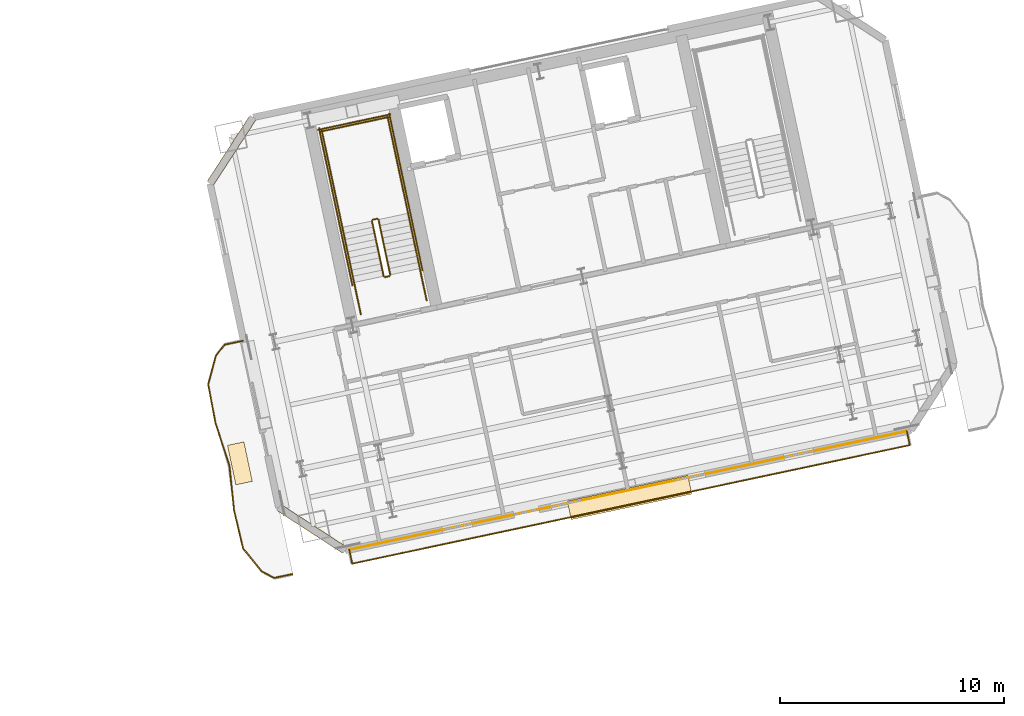
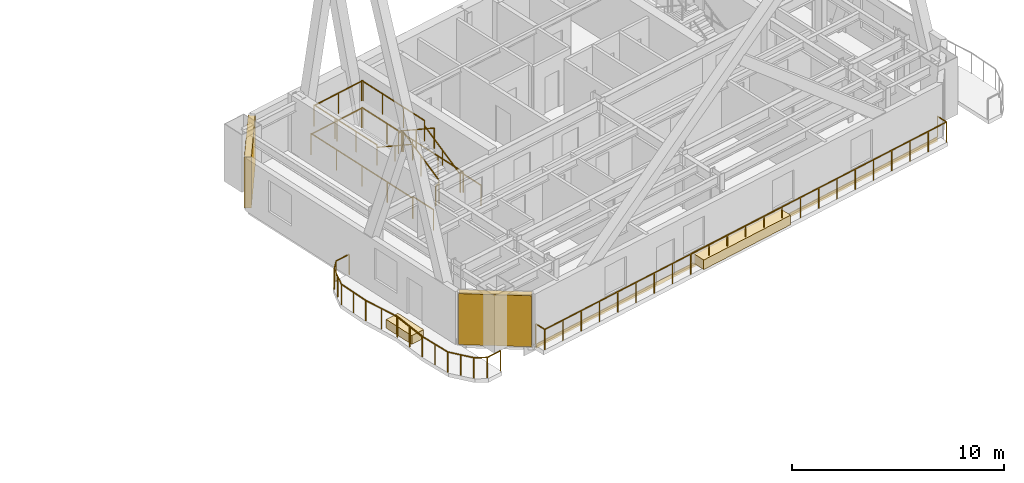
# One storey, part 19 of 20: 27 railings, 3 coverings, 2 shading devices.
"""IFC4 building model written with IfcOpenShell, lengths in metres."""

from ifc_helpers import new_model, si_unit, direction, frame, origin, origin_2d, place, context, subcontext, project, spatial, rectangle, extrude, material, layer, layer_set, type_object, element, save


model = new_model("IFC4")

# Units and contexts
model_context = context("Model", 3, precision=1e-05, world=origin(), true_north=direction((0.0, 1.0)))
body_context = subcontext(model_context, "Body", "Model", "MODEL_VIEW")
ifc_project = project(units=[si_unit("LENGTHUNIT", "METRE"), si_unit("AREAUNIT", "SQUARE_METRE"), si_unit("VOLUMEUNIT", "CUBIC_METRE"), si_unit("PLANEANGLEUNIT", "RADIAN"), si_unit("MASSUNIT", "GRAM", prefix="KILO")], contexts=[model_context])

# Site, building, storey
site_placement = place(None, origin())
site = spatial("IfcSite", under=ifc_project, at=site_placement, CompositionType="ELEMENT")
building_placement = place(site_placement, origin())
building = spatial("IfcBuilding", under=site, at=building_placement, Name="Haevon Station Towers", CompositionType="ELEMENT")
storey_placement = place(building_placement, frame((0.0, 0.0, 175.800048828125)))
storey = spatial("IfcBuildingStorey", under=building, at=storey_placement, Name="L48", CompositionType="ELEMENT", Elevation=175.800048828125)

# Covering
ifc_material_1 = material(Name="Anodised aluminium 6063-T6", Category="aluminium")
ifc_layer_1 = layer(ifc_material_1, 0.0400390625)
ifc_layer_set_1 = layer_set([ifc_layer_1], Name="Anodised aluminium 6063-T6")
covering_type_1 = type_object("IfcCoveringType", Name="COV-CLAD40", PredefinedType="CLADDING", material=ifc_layer_set_1)
covering_1_placement = place(storey_placement, frame((111.05419921875, 30.069091796875, -0.240234375), z_axis=(0.0, 0.0, 1.0), x_axis=(0.978147600734, 0.207911690818, 0.0)))
element("IfcCovering", 1, at=covering_1_placement, inside=storey, type_object=covering_type_1, Name="Tower 2 L48 Spandrel Fascia Cladding", PredefinedType="CLADDING", context=body_context, shape_type="SweptSolid", body=[
    extrude(rectangle(XDim=25.39990234375, YDim=0.0400390625, at=origin_2d()), origin(), (0.0, 0.0, 1.0), 0.239990234375),
])

# Railings
ifc_material_2 = material(Name="Steel S355", Category="steel")
railing_type_1 = type_object("IfcRailingType", Name="GRD-EXT1200", PredefinedType="GUARDRAIL", material=ifc_material_2)
railing_1_placement = place(storey_placement, frame((98.744873046875, 26.80029296875, 0.0)))
element("IfcRailing", 2, at=railing_1_placement, inside=storey, type_object=railing_type_1, Name="L48 Perimeter Guardrail 1", PredefinedType="GUARDRAIL", context=body_context, shape_type="SweptSolid", body=[
    extrude(rectangle(XDim=0.048095703125, YDim=0.048095703125, at=origin_2d()), frame((0.0, 0.0, 1.17578125), z_axis=(0.978147264163, 0.207913274252, 0.0), x_axis=(-0.207913274252, 0.978147264163, 0.0)), (0.0, 0.0, 1.0), 25.43994140625),
    extrude(rectangle(XDim=0.0419921875, YDim=0.0419921875, at=origin_2d()), origin(), (0.0, 0.0, 1.0), 1.15185546875),
    extrude(rectangle(XDim=0.0419921875, YDim=0.0419921875, at=origin_2d()), frame((1.131103515625, 0.240478515625, 0.0)), (0.0, 0.0, 1.0), 1.15185546875),
    extrude(rectangle(XDim=0.0419921875, YDim=0.0419921875, at=origin_2d()), frame((2.26220703125, 0.48095703125, 0.0)), (0.0, 0.0, 1.0), 1.15185546875),
    extrude(rectangle(XDim=0.0419921875, YDim=0.0419921875, at=origin_2d()), frame((3.393310546875, 0.72119140625, 0.0)), (0.0, 0.0, 1.0), 1.15185546875),
    extrude(rectangle(XDim=0.0419921875, YDim=0.0419921875, at=origin_2d()), frame((4.5244140625, 0.961669921875, 0.0)), (0.0, 0.0, 1.0), 1.15185546875),
    extrude(rectangle(XDim=0.0419921875, YDim=0.0419921875, at=origin_2d()), frame((5.655517578125, 1.2021484375, 0.0)), (0.0, 0.0, 1.0), 1.15185546875),
    extrude(rectangle(XDim=0.0419921875, YDim=0.0419921875, at=origin_2d()), frame((6.78662109375, 1.442626953125, 0.0)), (0.0, 0.0, 1.0), 1.15185546875),
    extrude(rectangle(XDim=0.0419921875, YDim=0.0419921875, at=origin_2d()), frame((7.917724609375, 1.682861328125, 0.0)), (0.0, 0.0, 1.0), 1.15185546875),
    extrude(rectangle(XDim=0.0419921875, YDim=0.0419921875, at=origin_2d()), frame((9.048828125, 1.92333984375, 0.0)), (0.0, 0.0, 1.0), 1.15185546875),
    extrude(rectangle(XDim=0.0419921875, YDim=0.0419921875, at=origin_2d()), frame((10.179931640625, 2.163818359375, 0.0)), (0.0, 0.0, 1.0), 1.15185546875),
    extrude(rectangle(XDim=0.0419921875, YDim=0.0419921875, at=origin_2d()), frame((11.31103515625, 2.404296875, 0.0)), (0.0, 0.0, 1.0), 1.15185546875),
    extrude(rectangle(XDim=0.0419921875, YDim=0.0419921875, at=origin_2d()), frame((12.44189453125, 2.64453125, 0.0)), (0.0, 0.0, 1.0), 1.15185546875),
    extrude(rectangle(XDim=0.0419921875, YDim=0.0419921875, at=origin_2d()), frame((13.572998046875, 2.885009765625, 0.0)), (0.0, 0.0, 1.0), 1.15185546875),
    extrude(rectangle(XDim=0.0419921875, YDim=0.0419921875, at=origin_2d()), frame((14.7041015625, 3.12548828125, 0.0)), (0.0, 0.0, 1.0), 1.15185546875),
    extrude(rectangle(XDim=0.0419921875, YDim=0.0419921875, at=origin_2d()), frame((15.835205078125, 3.365966796875, 0.0)), (0.0, 0.0, 1.0), 1.15185546875),
    extrude(rectangle(XDim=0.0419921875, YDim=0.0419921875, at=origin_2d()), frame((16.96630859375, 3.6064453125, 0.0)), (0.0, 0.0, 1.0), 1.15185546875),
    extrude(rectangle(XDim=0.0419921875, YDim=0.0419921875, at=origin_2d()), frame((18.097412109375, 3.8466796875, 0.0)), (0.0, 0.0, 1.0), 1.15185546875),
    extrude(rectangle(XDim=0.0419921875, YDim=0.0419921875, at=origin_2d()), frame((19.228515625, 4.087158203125, 0.0)), (0.0, 0.0, 1.0), 1.15185546875),
    extrude(rectangle(XDim=0.0419921875, YDim=0.0419921875, at=origin_2d()), frame((20.359619140625, 4.32763671875, 0.0)), (0.0, 0.0, 1.0), 1.15185546875),
    extrude(rectangle(XDim=0.0419921875, YDim=0.0419921875, at=origin_2d()), frame((21.49072265625, 4.568115234375, 0.0)), (0.0, 0.0, 1.0), 1.15185546875),
    extrude(rectangle(XDim=0.0419921875, YDim=0.0419921875, at=origin_2d()), frame((22.621826171875, 4.808349609375, 0.0)), (0.0, 0.0, 1.0), 1.15185546875),
    extrude(rectangle(XDim=0.0419921875, YDim=0.0419921875, at=origin_2d()), frame((23.7529296875, 5.048828125, 0.0)), (0.0, 0.0, 1.0), 1.15185546875),
    extrude(rectangle(XDim=0.0419921875, YDim=0.0419921875, at=origin_2d()), frame((24.884033203125, 5.289306640625, 0.0)), (0.0, 0.0, 1.0), 1.15185546875),
])
railing_2_placement = place(storey_placement, frame((123.62890625, 32.089599609375, 0.0)))
element("IfcRailing", 3, at=railing_2_placement, inside=storey, type_object=railing_type_1, Name="L48 Perimeter Guardrail 2", PredefinedType="GUARDRAIL", context=body_context, shape_type="SweptSolid", body=[
    extrude(rectangle(XDim=0.048095703125, YDim=0.048095703125, at=origin_2d()), frame((0.0, 0.0, 1.17578125), z_axis=(-0.20778471153, 0.9781745824, 0.0), x_axis=(-0.9781745824, -0.20778471153, 0.0)), (0.0, 0.0, 1.0), 0.630859375),
    extrude(rectangle(XDim=0.0419921875, YDim=0.0419921875, at=origin_2d()), origin(), (0.0, 0.0, 1.0), 1.15185546875),
    extrude(rectangle(XDim=0.0419921875, YDim=0.0419921875, at=origin_2d()), frame((-0.131103515625, 0.6171875, 0.0)), (0.0, 0.0, 1.0), 1.15185546875),
])
railing_3_placement = place(storey_placement, frame((98.613525390625, 27.41748046875, 0.0)))
element("IfcRailing", 4, at=railing_3_placement, inside=storey, type_object=railing_type_1, Name="L48 Perimeter Guardrail 3", PredefinedType="GUARDRAIL", context=body_context, shape_type="SweptSolid", body=[
    extrude(rectangle(XDim=0.048095703125, YDim=0.048095703125, at=origin_2d()), frame((0.0, 0.0, 1.17578125), z_axis=(0.208154897238, -0.97809587401, 0.0), x_axis=(0.97809587401, 0.208154897238, 0.0)), (0.0, 0.0, 1.0), 0.631103515625),
    extrude(rectangle(XDim=0.0419921875, YDim=0.0419921875, at=origin_2d()), origin(), (0.0, 0.0, 1.0), 1.15185546875),
    extrude(rectangle(XDim=0.0419921875, YDim=0.0419921875, at=origin_2d()), frame((0.13134765625, -0.6171875, 0.0)), (0.0, 0.0, 1.0), 1.15185546875),
])
railing_4_placement = place(storey_placement, frame((93.8662109375, 36.74853515625, 0.0)))
element("IfcRailing", 5, at=railing_4_placement, inside=storey, type_object=railing_type_1, Name="L48 Perimeter Guardrail 1", PredefinedType="GUARDRAIL", context=body_context, shape_type="SweptSolid", body=[
    extrude(rectangle(XDim=0.048095703125, YDim=0.048095703125, at=origin_2d()), frame((0.0, 0.0, 1.17578125), z_axis=(-0.977678572445, -0.210106185017, 0.0), x_axis=(0.210106185017, -0.977678572445, 0.0)), (0.0, 0.0, 1.0), 0.837890625),
    extrude(rectangle(XDim=0.0419921875, YDim=0.0419921875, at=origin_2d()), origin(), (0.0, 0.0, 1.0), 1.15185546875),
    extrude(rectangle(XDim=0.0419921875, YDim=0.0419921875, at=origin_2d()), frame((-0.819091796875, -0.176025390625, 0.0)), (0.0, 0.0, 1.0), 1.15185546875),
])
railing_5_placement = place(storey_placement, frame((93.047119140625, 36.572509765625, 0.0)))
element("IfcRailing", 6, at=railing_5_placement, inside=storey, type_object=railing_type_1, Name="L48 Perimeter Guardrail 2", PredefinedType="GUARDRAIL", context=body_context, shape_type="SweptSolid", body=[
    extrude(rectangle(XDim=0.048095703125, YDim=0.048095703125, at=origin_2d()), frame((0.0, 0.0, 1.17578125), z_axis=(-0.616102641883, -0.787665877555, 0.0), x_axis=(0.787665877555, -0.616102641883, 0.0)), (0.0, 0.0, 1.0), 0.640380859375),
    extrude(rectangle(XDim=0.0419921875, YDim=0.0419921875, at=origin_2d()), origin(), (0.0, 0.0, 1.0), 1.15185546875),
    extrude(rectangle(XDim=0.0419921875, YDim=0.0419921875, at=origin_2d()), frame((-0.39453125, -0.50439453125, 0.0)), (0.0, 0.0, 1.0), 1.15185546875),
])
railing_6_placement = place(storey_placement, frame((92.652587890625, 36.068115234375, 0.0)))
element("IfcRailing", 7, at=railing_6_placement, inside=storey, type_object=railing_type_1, Name="L48 Perimeter Guardrail 3", PredefinedType="GUARDRAIL", context=body_context, shape_type="SweptSolid", body=[
    extrude(rectangle(XDim=0.048095703125, YDim=0.048095703125, at=origin_2d()), frame((0.0, 0.0, 1.17578125), z_axis=(-0.256967200825, -0.966420124842, 0.0), x_axis=(0.966420124842, -0.256967200825, 0.0)), (0.0, 0.0, 1.0), 1.31103515625),
    extrude(rectangle(XDim=0.0419921875, YDim=0.0419921875, at=origin_2d()), origin(), (0.0, 0.0, 1.0), 1.15185546875),
    extrude(rectangle(XDim=0.0419921875, YDim=0.0419921875, at=origin_2d()), frame((-0.16845703125, -0.633544921875, 0.0)), (0.0, 0.0, 1.0), 1.15185546875),
    extrude(rectangle(XDim=0.0419921875, YDim=0.0419921875, at=origin_2d()), frame((-0.3369140625, -1.26708984375, 0.0)), (0.0, 0.0, 1.0), 1.15185546875),
])
railing_7_placement = place(storey_placement, frame((92.315673828125, 34.801025390625, 0.0)))
element("IfcRailing", 8, at=railing_7_placement, inside=storey, type_object=railing_type_1, Name="L48 Perimeter Guardrail 4", PredefinedType="GUARDRAIL", context=body_context, shape_type="SweptSolid", body=[
    extrude(rectangle(XDim=0.048095703125, YDim=0.048095703125, at=origin_2d()), frame((0.0, 0.0, 1.17578125), z_axis=(0.185072185198, -0.982724929096, 0.0), x_axis=(0.982724929096, 0.185072185198, 0.0)), (0.0, 0.0, 1.0), 1.749267578125),
    extrude(rectangle(XDim=0.0419921875, YDim=0.0419921875, at=origin_2d()), origin(), (0.0, 0.0, 1.0), 1.15185546875),
    extrude(rectangle(XDim=0.0419921875, YDim=0.0419921875, at=origin_2d()), frame((0.161865234375, -0.859375, 0.0)), (0.0, 0.0, 1.0), 1.15185546875),
    extrude(rectangle(XDim=0.0419921875, YDim=0.0419921875, at=origin_2d()), frame((0.32373046875, -1.718994140625, 0.0)), (0.0, 0.0, 1.0), 1.15185546875),
])
railing_8_placement = place(storey_placement, frame((92.639404296875, 33.08203125, 0.0)))
element("IfcRailing", 9, at=railing_8_placement, inside=storey, type_object=railing_type_1, Name="L48 Perimeter Guardrail 5", PredefinedType="GUARDRAIL", context=body_context, shape_type="SweptSolid", body=[
    extrude(rectangle(XDim=0.048095703125, YDim=0.048095703125, at=origin_2d()), frame((0.0, 0.0, 1.17578125), z_axis=(0.31161563474, -0.950208238328, 0.0), x_axis=(0.950208238328, 0.31161563474, 0.0)), (0.0, 0.0, 1.0), 2.00244140625),
    extrude(rectangle(XDim=0.0419921875, YDim=0.0419921875, at=origin_2d()), origin(), (0.0, 0.0, 1.0), 1.15185546875),
    extrude(rectangle(XDim=0.0419921875, YDim=0.0419921875, at=origin_2d()), frame((0.31201171875, -0.951416015625, 0.0)), (0.0, 0.0, 1.0), 1.15185546875),
    extrude(rectangle(XDim=0.0419921875, YDim=0.0419921875, at=origin_2d()), frame((0.6240234375, -1.90283203125, 0.0)), (0.0, 0.0, 1.0), 1.15185546875),
])
railing_9_placement = place(storey_placement, frame((93.263427734375, 31.17919921875, 0.0)))
element("IfcRailing", 10, at=railing_9_placement, inside=storey, type_object=railing_type_1, Name="L48 Perimeter Guardrail 6", PredefinedType="GUARDRAIL", context=body_context, shape_type="SweptSolid", body=[
    extrude(rectangle(XDim=0.048095703125, YDim=0.048095703125, at=origin_2d()), frame((0.0, 0.0, 1.17578125), z_axis=(0.101809203682, -0.994803943521, 0.0), x_axis=(0.994803943521, 0.101809203682, 0.0)), (0.0, 0.0, 1.0), 2.00244140625),
    extrude(rectangle(XDim=0.0419921875, YDim=0.0419921875, at=origin_2d()), origin(), (0.0, 0.0, 1.0), 1.15185546875),
    extrude(rectangle(XDim=0.0419921875, YDim=0.0419921875, at=origin_2d()), frame((0.10205078125, -0.99609375, 0.0)), (0.0, 0.0, 1.0), 1.15185546875),
    extrude(rectangle(XDim=0.0419921875, YDim=0.0419921875, at=origin_2d()), frame((0.203857421875, -1.991943359375, 0.0)), (0.0, 0.0, 1.0), 1.15185546875),
])
railing_10_placement = place(storey_placement, frame((93.46728515625, 29.187255859375, 0.0)))
element("IfcRailing", 11, at=railing_10_placement, inside=storey, type_object=railing_type_1, Name="L48 Perimeter Guardrail 7", PredefinedType="GUARDRAIL", context=body_context, shape_type="SweptSolid", body=[
    extrude(rectangle(XDim=0.048095703125, YDim=0.048095703125, at=origin_2d()), frame((0.0, 0.0, 1.17578125), z_axis=(0.230595075023, -0.973049799021, 0.0), x_axis=(0.973049799021, 0.230595075023, 0.0)), (0.0, 0.0, 1.0), 1.7490234375),
    extrude(rectangle(XDim=0.0419921875, YDim=0.0419921875, at=origin_2d()), origin(), (0.0, 0.0, 1.0), 1.15185546875),
    extrude(rectangle(XDim=0.0419921875, YDim=0.0419921875, at=origin_2d()), frame((0.20166015625, -0.85107421875, 0.0)), (0.0, 0.0, 1.0), 1.15185546875),
    extrude(rectangle(XDim=0.0419921875, YDim=0.0419921875, at=origin_2d()), frame((0.4033203125, -1.701904296875, 0.0)), (0.0, 0.0, 1.0), 1.15185546875),
])
railing_11_placement = place(storey_placement, frame((93.87060546875, 27.4853515625, 0.0)))
element("IfcRailing", 12, at=railing_11_placement, inside=storey, type_object=railing_type_1, Name="L48 Perimeter Guardrail 8", PredefinedType="GUARDRAIL", context=body_context, shape_type="SweptSolid", body=[
    extrude(rectangle(XDim=0.048095703125, YDim=0.048095703125, at=origin_2d()), frame((0.0, 0.0, 1.17578125), z_axis=(0.62786890768, -0.778319108572, 0.0), x_axis=(0.778319108572, 0.62786890768, 0.0)), (0.0, 0.0, 1.0), 1.311279296875),
    extrude(rectangle(XDim=0.0419921875, YDim=0.0419921875, at=origin_2d()), origin(), (0.0, 0.0, 1.0), 1.15185546875),
    extrude(rectangle(XDim=0.0419921875, YDim=0.0419921875, at=origin_2d()), frame((0.41162109375, -0.51025390625, 0.0)), (0.0, 0.0, 1.0), 1.15185546875),
    extrude(rectangle(XDim=0.0419921875, YDim=0.0419921875, at=origin_2d()), frame((0.8232421875, -1.0205078125, 0.0)), (0.0, 0.0, 1.0), 1.15185546875),
])
railing_12_placement = place(storey_placement, frame((94.69384765625, 26.46484375, 0.0)))
element("IfcRailing", 13, at=railing_12_placement, inside=storey, type_object=railing_type_1, Name="L48 Perimeter Guardrail 9", PredefinedType="GUARDRAIL", context=body_context, shape_type="SweptSolid", body=[
    extrude(rectangle(XDim=0.048095703125, YDim=0.048095703125, at=origin_2d()), frame((0.0, 0.0, 1.17578125), z_axis=(0.883174960407, -0.469043696589, 0.0), x_axis=(0.469043696589, 0.883174960407, 0.0)), (0.0, 0.0, 1.0), 0.64013671875),
    extrude(rectangle(XDim=0.0419921875, YDim=0.0419921875, at=origin_2d()), origin(), (0.0, 0.0, 1.0), 1.15185546875),
    extrude(rectangle(XDim=0.0419921875, YDim=0.0419921875, at=origin_2d()), frame((0.5654296875, -0.30029296875, 0.0)), (0.0, 0.0, 1.0), 1.15185546875),
])
railing_13_placement = place(storey_placement, frame((95.25927734375, 26.16455078125, 0.0)))
element("IfcRailing", 14, at=railing_13_placement, inside=storey, type_object=railing_type_1, Name="L48 Perimeter Guardrail 10", PredefinedType="GUARDRAIL", context=body_context, shape_type="SweptSolid", body=[
    extrude(rectangle(XDim=0.048095703125, YDim=0.048095703125, at=origin_2d()), frame((0.0, 0.0, 1.17578125), z_axis=(0.978617737227, 0.20568744343, 0.0), x_axis=(-0.20568744343, 0.978617737227, 0.0)), (0.0, 0.0, 1.0), 0.837890625),
    extrude(rectangle(XDim=0.0419921875, YDim=0.0419921875, at=origin_2d()), origin(), (0.0, 0.0, 1.0), 1.15185546875),
    extrude(rectangle(XDim=0.0419921875, YDim=0.0419921875, at=origin_2d()), frame((0.820068359375, 0.17236328125, 0.0)), (0.0, 0.0, 1.0), 1.15185546875),
])
railing_type_2 = type_object("IfcRailingType", Name="GRD-STR1200", PredefinedType="GUARDRAIL", material=ifc_material_2)
railing_14_placement = place(storey_placement, frame((100.44140625, 39.69287109375, 0.1650390625)))
element("IfcRailing", 15, at=railing_14_placement, inside=storey, type_object=railing_type_2, Name="L48 ST3 Stair Guard 1", PredefinedType="GUARDRAIL", context=body_context, shape_type="SweptSolid", body=[
    extrude(rectangle(XDim=0.048095703125, YDim=0.048095703125, at=origin_2d()), frame((0.0, 0.0, 1.17578125), z_axis=(-0.179128856099, 0.842723639875, 0.507670877349), x_axis=(-0.978147030254, -0.207914374695, 0.0)), (0.0, 0.0, 1.0), 2.9248046875),
    extrude(rectangle(XDim=0.0419921875, YDim=0.0419921875, at=origin_2d()), origin(), (0.0, 0.0, 1.0), 1.15185546875),
    extrude(rectangle(XDim=0.0419921875, YDim=0.0419921875, at=origin_2d()), frame((-0.261962890625, 1.232421875, 0.742431640625)), (0.0, 0.0, 1.0), 1.15185546875),
    extrude(rectangle(XDim=0.0419921875, YDim=0.0419921875, at=origin_2d()), frame((-0.52392578125, 2.46484375, 1.48486328125)), (0.0, 0.0, 1.0), 1.15185546875),
])
railing_15_placement = place(storey_placement, frame((99.858154296875, 42.1962890625, 1.64990234375)))
element("IfcRailing", 16, at=railing_15_placement, inside=storey, type_object=railing_type_2, Name="L48 ST3 Stair Guard 2", PredefinedType="GUARDRAIL", context=body_context, shape_type="SweptSolid", body=[
    extrude(rectangle(XDim=0.048095703125, YDim=0.048095703125, at=origin_2d()), frame((0.0, 0.0, 1.17578125), z_axis=(-0.977962931203, -0.208778603291, 0.0), x_axis=(0.208778603291, -0.977962931203, 0.0)), (0.0, 0.0, 1.0), 0.199951171875),
    extrude(rectangle(XDim=0.0419921875, YDim=0.0419921875, at=origin_2d()), origin(), (0.0, 0.0, 1.0), 1.15185546875),
    extrude(rectangle(XDim=0.0419921875, YDim=0.0419921875, at=origin_2d()), frame((-0.195556640625, -0.041748046875, 0.0)), (0.0, 0.0, 1.0), 1.15185546875),
])
railing_16_placement = place(storey_placement, frame((101.238037109375, 42.4384765625, 1.64990234375)))
element("IfcRailing", 17, at=railing_16_placement, inside=storey, type_object=railing_type_2, Name="L48 ST3 Stair Guard 3", PredefinedType="GUARDRAIL", context=body_context, shape_type="SweptSolid", body=[
    extrude(rectangle(XDim=0.048095703125, YDim=0.048095703125, at=origin_2d()), frame((0.0, 0.0, 1.17578125), z_axis=(-0.20794048909, 0.978141479029, 0.0), x_axis=(-0.978141479029, -0.20794048909, 0.0)), (0.0, 0.0, 1.0), 4.429931640625),
    extrude(rectangle(XDim=0.0419921875, YDim=0.0419921875, at=origin_2d()), origin(), (0.0, 0.0, 1.0), 1.15185546875),
    extrude(rectangle(XDim=0.0419921875, YDim=0.0419921875, at=origin_2d()), frame((-0.30712890625, 1.4443359375, 0.0)), (0.0, 0.0, 1.0), 1.15185546875),
    extrude(rectangle(XDim=0.0419921875, YDim=0.0419921875, at=origin_2d()), frame((-0.614013671875, 2.888671875, 0.0)), (0.0, 0.0, 1.0), 1.15185546875),
    extrude(rectangle(XDim=0.0419921875, YDim=0.0419921875, at=origin_2d()), frame((-0.921142578125, 4.3330078125, 0.0)), (0.0, 0.0, 1.0), 1.15185546875),
])
railing_17_placement = place(storey_placement, frame((98.303466796875, 41.814697265625, 1.64990234375)))
element("IfcRailing", 18, at=railing_17_placement, inside=storey, type_object=railing_type_2, Name="L48 ST3 Stair Guard 4", PredefinedType="GUARDRAIL", context=body_context, shape_type="SweptSolid", body=[
    extrude(rectangle(XDim=0.048095703125, YDim=0.048095703125, at=origin_2d()), frame((0.0, 0.0, 1.17578125), z_axis=(-0.207876551949, 0.978155069071, 0.0), x_axis=(-0.978155069071, -0.207876551949, 0.0)), (0.0, 0.0, 1.0), 4.429931640625),
    extrude(rectangle(XDim=0.0419921875, YDim=0.0419921875, at=origin_2d()), origin(), (0.0, 0.0, 1.0), 1.15185546875),
    extrude(rectangle(XDim=0.0419921875, YDim=0.0419921875, at=origin_2d()), frame((-0.306884765625, 1.4443359375, 0.0)), (0.0, 0.0, 1.0), 1.15185546875),
    extrude(rectangle(XDim=0.0419921875, YDim=0.0419921875, at=origin_2d()), frame((-0.614013671875, 2.888916015625, 0.0)), (0.0, 0.0, 1.0), 1.15185546875),
    extrude(rectangle(XDim=0.0419921875, YDim=0.0419921875, at=origin_2d()), frame((-0.9208984375, 4.333251953125, 0.0)), (0.0, 0.0, 1.0), 1.15185546875),
])
railing_18_placement = place(storey_placement, frame((100.376220703125, 46.733154296875, 1.64990234375)))
element("IfcRailing", 19, at=railing_18_placement, inside=storey, type_object=railing_type_2, Name="L48 ST3 Stair Guard 5", PredefinedType="GUARDRAIL", context=body_context, shape_type="SweptSolid", body=[
    extrude(rectangle(XDim=0.048095703125, YDim=0.048095703125, at=origin_2d()), frame((0.0, 0.0, 1.17578125), z_axis=(-0.978146839882, -0.207915270313, 0.0), x_axis=(0.207915270313, -0.978146839882, 0.0)), (0.0, 0.0, 1.0), 3.099853515625),
    extrude(rectangle(XDim=0.0419921875, YDim=0.0419921875, at=origin_2d()), origin(), (0.0, 0.0, 1.0), 1.15185546875),
    extrude(rectangle(XDim=0.0419921875, YDim=0.0419921875, at=origin_2d()), frame((-1.51611328125, -0.322265625, 0.0)), (0.0, 0.0, 1.0), 1.15185546875),
    extrude(rectangle(XDim=0.0419921875, YDim=0.0419921875, at=origin_2d()), frame((-3.0322265625, -0.64453125, 0.0)), (0.0, 0.0, 1.0), 1.15185546875),
])
railing_19_placement = place(storey_placement, frame((99.6240234375, 42.09521484375, 1.81494140625)))
element("IfcRailing", 20, at=railing_19_placement, inside=storey, type_object=railing_type_2, Name="L48 ST3 Stair Guard 6", PredefinedType="GUARDRAIL", context=body_context, shape_type="SweptSolid", body=[
    extrude(rectangle(XDim=0.048095703125, YDim=0.048095703125, at=origin_2d()), frame((0.0, 0.0, 1.17578125), z_axis=(0.179121265225, -0.842687928106, 0.507732831485), x_axis=(0.978147030254, 0.207914374695, 0.0)), (0.0, 0.0, 1.0), 2.925048828125),
    extrude(rectangle(XDim=0.0419921875, YDim=0.0419921875, at=origin_2d()), origin(), (0.0, 0.0, 1.0), 1.15185546875),
    extrude(rectangle(XDim=0.0419921875, YDim=0.0419921875, at=origin_2d()), frame((0.261962890625, -1.232421875, 0.74267578125)), (0.0, 0.0, 1.0), 1.15185546875),
    extrude(rectangle(XDim=0.0419921875, YDim=0.0419921875, at=origin_2d()), frame((0.52392578125, -2.46484375, 1.485107421875)), (0.0, 0.0, 1.0), 1.15185546875),
])
railing_20_placement = place(storey_placement, frame((100.40283203125, 39.633544921875, 0.0)))
element("IfcRailing", 21, at=railing_20_placement, inside=storey, type_object=railing_type_2, Name="L48 ST3 Stair Guard 7", PredefinedType="GUARDRAIL", context=body_context, shape_type="SweptSolid", body=[
    extrude(rectangle(XDim=0.048095703125, YDim=0.048095703125, at=origin_2d()), frame((0.0, 0.0, 1.17578125), z_axis=(-0.977962931203, -0.208778603291, 0.0), x_axis=(0.208778603291, -0.977962931203, 0.0)), (0.0, 0.0, 1.0), 0.199951171875),
    extrude(rectangle(XDim=0.0419921875, YDim=0.0419921875, at=origin_2d()), origin(), (0.0, 0.0, 1.0), 1.15185546875),
    extrude(rectangle(XDim=0.0419921875, YDim=0.0419921875, at=origin_2d()), frame((-0.195556640625, -0.041748046875, 0.0)), (0.0, 0.0, 1.0), 1.15185546875),
])
for number, where, name in (
    (22, (102.0634765625, 38.55517578125, 0.0), "L48 ST3 Stair Guard 8"),
    (23, (99.12890625, 37.931396484375, 0.0), "L48 ST3 Stair Guard 9"),
):
    element("IfcRailing", number, at=place(storey_placement, frame(where)), inside=storey, type_object=railing_type_2, Name=name, PredefinedType="GUARDRAIL", context=body_context, shape_type="SweptSolid", body=[
        extrude(rectangle(XDim=0.048095703125, YDim=0.048095703125, at=origin_2d()), frame((0.0, 0.0, 1.17578125), z_axis=(-0.207953405961, 0.978138732977, 0.0), x_axis=(-0.978138732977, -0.207953405961, 0.0)), (0.0, 0.0, 1.0), 1.449951171875),
        extrude(rectangle(XDim=0.0419921875, YDim=0.0419921875, at=origin_2d()), origin(), (0.0, 0.0, 1.0), 1.15185546875),
        extrude(rectangle(XDim=0.0419921875, YDim=0.0419921875, at=origin_2d()), frame((-0.301513671875, 1.418212890625, 0.0)), (0.0, 0.0, 1.0), 1.15185546875),
    ])
railing_21_placement = place(storey_placement, frame((101.88037109375, 39.896484375, 0.0)))
element("IfcRailing", 24, at=railing_21_placement, inside=storey, type_object=railing_type_2, Name="L48 ST3 Stair Guard 10", PredefinedType="GUARDRAIL", context=body_context, shape_type="SweptSolid", body=[
    extrude(rectangle(XDim=0.048095703125, YDim=0.048095703125, at=origin_2d()), frame((0.0, 0.0, 1.17578125), z_axis=(-0.207882442208, 0.978153817261, 0.0), x_axis=(-0.978153817261, -0.207882442208, 0.0)), (0.0, 0.0, 1.0), 7.14990234375),
    extrude(rectangle(XDim=0.0419921875, YDim=0.0419921875, at=origin_2d()), origin(), (0.0, 0.0, 1.0), 1.15185546875),
    extrude(rectangle(XDim=0.0419921875, YDim=0.0419921875, at=origin_2d()), frame((-0.37158203125, 1.74853515625, 0.0)), (0.0, 0.0, 1.0), 1.15185546875),
    extrude(rectangle(XDim=0.0419921875, YDim=0.0419921875, at=origin_2d()), frame((-0.7431640625, 3.496826171875, 0.0)), (0.0, 0.0, 1.0), 1.15185546875),
    extrude(rectangle(XDim=0.0419921875, YDim=0.0419921875, at=origin_2d()), frame((-1.11474609375, 5.2451171875, 0.0)), (0.0, 0.0, 1.0), 1.15185546875),
    extrude(rectangle(XDim=0.0419921875, YDim=0.0419921875, at=origin_2d()), frame((-1.486328125, 6.99365234375, 0.0)), (0.0, 0.0, 1.0), 1.15185546875),
])
railing_22_placement = place(storey_placement, frame((98.75048828125, 39.231201171875, 0.0)))
element("IfcRailing", 25, at=railing_22_placement, inside=storey, type_object=railing_type_2, Name="L48 ST3 Stair Guard 11", PredefinedType="GUARDRAIL", context=body_context, shape_type="SweptSolid", body=[
    extrude(rectangle(XDim=0.048095703125, YDim=0.048095703125, at=origin_2d()), frame((0.0, 0.0, 1.17578125), z_axis=(-0.207915112487, 0.978146873429, 0.0), x_axis=(-0.978146873429, -0.207915112487, 0.0)), (0.0, 0.0, 1.0), 7.14990234375),
    extrude(rectangle(XDim=0.0419921875, YDim=0.0419921875, at=origin_2d()), origin(), (0.0, 0.0, 1.0), 1.15185546875),
    extrude(rectangle(XDim=0.0419921875, YDim=0.0419921875, at=origin_2d()), frame((-0.37158203125, 1.74853515625, 0.0)), (0.0, 0.0, 1.0), 1.15185546875),
    extrude(rectangle(XDim=0.0419921875, YDim=0.0419921875, at=origin_2d()), frame((-0.7431640625, 3.496826171875, 0.0)), (0.0, 0.0, 1.0), 1.15185546875),
    extrude(rectangle(XDim=0.0419921875, YDim=0.0419921875, at=origin_2d()), frame((-1.114990234375, 5.2451171875, 0.0)), (0.0, 0.0, 1.0), 1.15185546875),
    extrude(rectangle(XDim=0.0419921875, YDim=0.0419921875, at=origin_2d()), frame((-1.486572265625, 6.99365234375, 0.0)), (0.0, 0.0, 1.0), 1.15185546875),
])
railing_23_placement = place(storey_placement, frame((100.453125, 46.8515625, 0.0)))
element("IfcRailing", 26, at=railing_23_placement, inside=storey, type_object=railing_type_2, Name="L48 ST3 Stair Guard 12", PredefinedType="GUARDRAIL", context=body_context, shape_type="SweptSolid", body=[
    extrude(rectangle(XDim=0.048095703125, YDim=0.048095703125, at=origin_2d()), frame((0.0, 0.0, 1.17578125), z_axis=(-0.978150764849, -0.207896804268, 0.0), x_axis=(0.207896804268, -0.978150764849, 0.0)), (0.0, 0.0, 1.0), 3.2998046875),
    extrude(rectangle(XDim=0.0419921875, YDim=0.0419921875, at=origin_2d()), origin(), (0.0, 0.0, 1.0), 1.15185546875),
    extrude(rectangle(XDim=0.0419921875, YDim=0.0419921875, at=origin_2d()), frame((-1.61376953125, -0.343017578125, 0.0)), (0.0, 0.0, 1.0), 1.15185546875),
    extrude(rectangle(XDim=0.0419921875, YDim=0.0419921875, at=origin_2d()), frame((-3.227783203125, -0.68603515625, 0.0)), (0.0, 0.0, 1.0), 1.15185546875),
])
railing_type_3 = type_object("IfcRailingType", Name="HND-STR900", PredefinedType="HANDRAIL", material=ifc_material_2)
railing_24_placement = place(storey_placement, frame((101.761962890625, 39.973388671875, 0.1650390625)))
element("IfcRailing", 27, at=railing_24_placement, inside=storey, type_object=railing_type_3, Name="L48 ST3 Stair Handrail 1", PredefinedType="HANDRAIL", context=body_context, shape_type="SweptSolid", body=[
    extrude(rectangle(XDim=0.048095703125, YDim=0.048095703125, at=origin_2d()), frame((0.0, 0.0, 0.8759765625), z_axis=(-0.179116256339, 0.842747828638, 0.507635168246), x_axis=(-0.978151217824, -0.207894673017, 0.0)), (0.0, 0.0, 1.0), 2.925048828125),
    extrude(rectangle(XDim=0.0419921875, YDim=0.0419921875, at=origin_2d()), origin(), (0.0, 0.0, 1.0), 0.851806640625),
    extrude(rectangle(XDim=0.0419921875, YDim=0.0419921875, at=origin_2d()), frame((-0.261962890625, 1.232421875, 0.742431640625)), (0.0, 0.0, 1.0), 0.851806640625),
    extrude(rectangle(XDim=0.0419921875, YDim=0.0419921875, at=origin_2d()), frame((-0.52392578125, 2.465087890625, 1.48486328125)), (0.0, 0.0, 1.0), 0.851806640625),
])
railing_25_placement = place(storey_placement, frame((98.303466796875, 41.814697265625, 1.81494140625)))
element("IfcRailing", 28, at=railing_25_placement, inside=storey, type_object=railing_type_3, Name="L48 ST3 Stair Handrail 2", PredefinedType="HANDRAIL", context=body_context, shape_type="SweptSolid", body=[
    extrude(rectangle(XDim=0.048095703125, YDim=0.048095703125, at=origin_2d()), frame((0.0, 0.0, 0.8759765625), z_axis=(0.179108667068, -0.842712120868, 0.50769712105), x_axis=(0.978151217824, 0.207894673017, 0.0)), (0.0, 0.0, 1.0), 2.92529296875),
    extrude(rectangle(XDim=0.0419921875, YDim=0.0419921875, at=origin_2d()), origin(), (0.0, 0.0, 1.0), 0.851806640625),
    extrude(rectangle(XDim=0.0419921875, YDim=0.0419921875, at=origin_2d()), frame((0.261962890625, -1.232421875, 0.74267578125)), (0.0, 0.0, 1.0), 0.851806640625),
    extrude(rectangle(XDim=0.0419921875, YDim=0.0419921875, at=origin_2d()), frame((0.52392578125, -2.465087890625, 1.485107421875)), (0.0, 0.0, 1.0), 0.851806640625),
])

# Coverings
ifc_material_3 = material(Name="Architectural planter GRC", Category="concrete")
ifc_layer_2 = layer(ifc_material_3, 0.550048828125)
ifc_layer_set_2 = layer_set([ifc_layer_2], Name="Architectural planter GRC")
covering_type_2 = type_object("IfcCoveringType", Name="PLN-GRC550", PredefinedType="MOLDING", material=ifc_layer_set_2)
covering_2_placement = place(storey_placement, frame((111.121337890625, 29.75341796875, 0.0), z_axis=(0.0, 0.0, 1.0), x_axis=(0.978147600734, 0.207911690818, 0.0)))
element("IfcCovering", 29, at=covering_2_placement, inside=storey, type_object=covering_type_2, Name="Tower 2 L48 Sky-Garden GRC PLANTER", PredefinedType="MOLDING", context=body_context, shape_type="SweptSolid", body=[
    extrude(rectangle(XDim=5.5, YDim=0.85009765625, at=origin_2d()), origin(), (0.0, 0.0, 1.0), 0.550048828125),
])
covering_3_placement = place(storey_placement, frame((93.7314453125, 31.27880859375, 0.0), z_axis=(0.0, 0.0, 1.0), x_axis=(0.978147600734, 0.207911690818, 0.0)))
element("IfcCovering", 30, at=covering_3_placement, inside=storey, type_object=covering_type_2, Name="Tower 2 L48 Scalloped Balcony PLANTER", PredefinedType="MOLDING", context=body_context, shape_type="SweptSolid", body=[
    extrude(rectangle(XDim=0.75, YDim=1.800048828125, at=origin_2d()), origin(), (0.0, 0.0, 1.0), 0.5),
])

# Shading devices
ifc_layer_3 = layer(ifc_material_1, 0.139892578125)
ifc_layer_set_3 = layer_set([ifc_layer_3], Name="Anodised aluminium 6063-T6")
shading_device_type = type_object("IfcShadingDeviceType", Name="SHD-WIND-BAFFLE", PredefinedType="SHUTTER", material=ifc_layer_set_3)
for number, where, z_axis, x_axis, name in (
    (31, (96.95361328125, 28.349609375, 0.0498046875), (0.0, 0.0, 1.0), (-0.838670648839, 0.544638910449, 0.0), "Tower 2 L48 Wind-Corner Aerofoil Baffle SWC"),
    (32, (93.36279296875, 45.242431640625, 0.0498046875), (0.0, 0.0, 1.0), (0.544639109388, 0.838670519647, 0.0), "Tower 2 L48 Wind-Corner Aerofoil Baffle NWC"),
):
    element("IfcShadingDevice", number, at=place(storey_placement, frame(where, z_axis=z_axis, x_axis=x_axis)), inside=storey, type_object=shading_device_type, Name=name, PredefinedType="SHUTTER", context=body_context, shape_type="SweptSolid", body=[
        extrude(rectangle(XDim=3.435546875, YDim=0.340087890625, at=origin_2d()), origin(), (0.0, 0.0, 1.0), 2.929931640625),
    ])

save(model, "model.ifc")
